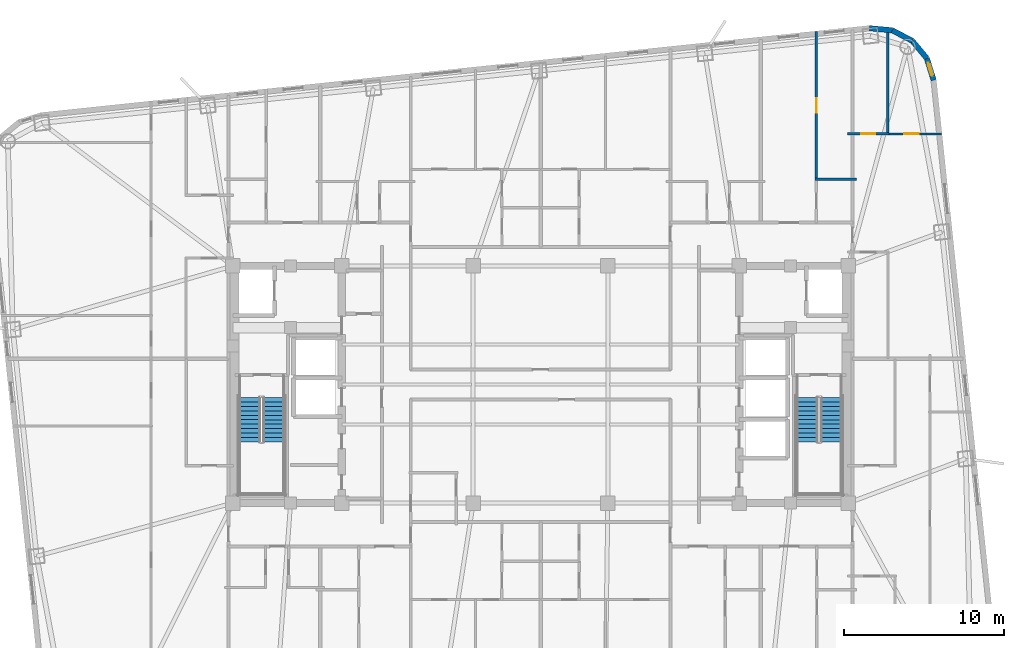
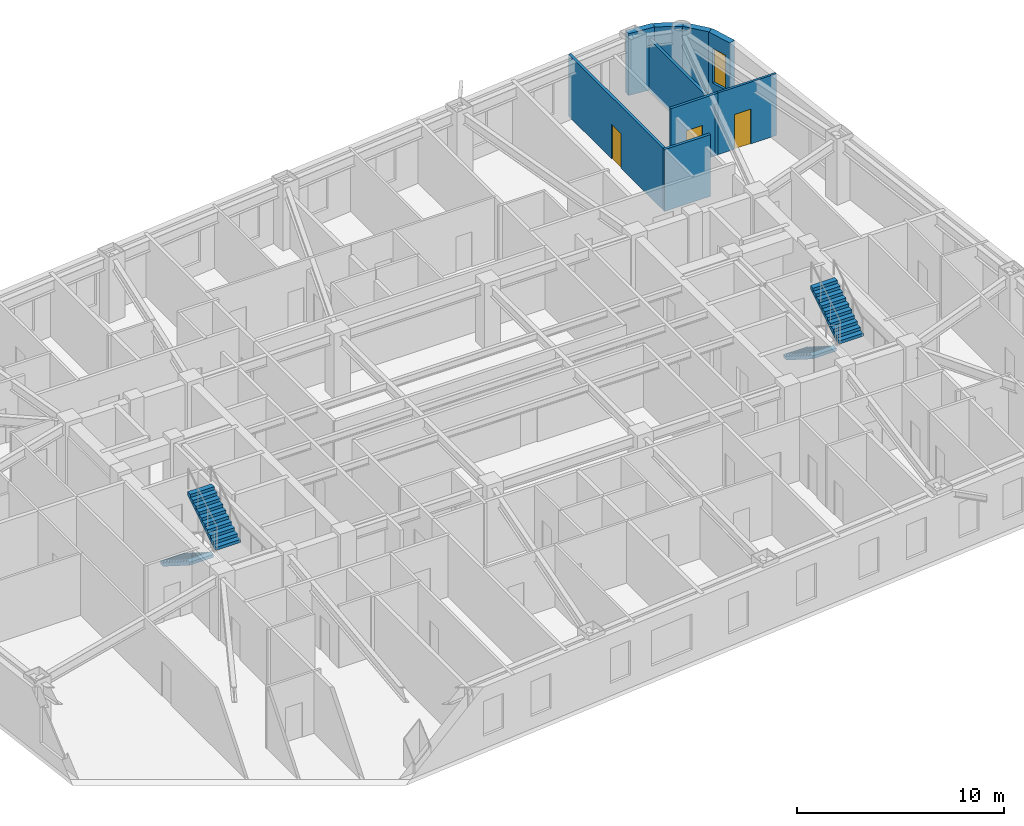
# One storey, part 10 of 12: 9 walls, 4 stair flights, 3 doors, 1 window, 4 openings, 2 elements without a shape of their own.
"""IFC4 building model written with IfcOpenShell, lengths in metres."""

from ifc_helpers import new_model, si_unit, direction, frame, frame_2d, origin, place, context, subcontext, project, spatial, polyline, rectangle, outline, extrude, material, layer, layer_set, type_object, element, fill, aggregate, save


model = new_model("IFC4")

# Units and contexts
model_context = context("Model", 3, precision=1e-05, world=origin(), true_north=direction((0.0, 1.0)))
body_context = subcontext(model_context, "Body", "Model", "MODEL_VIEW")
ifc_project = project(units=[si_unit("LENGTHUNIT", "METRE"), si_unit("AREAUNIT", "SQUARE_METRE"), si_unit("VOLUMEUNIT", "CUBIC_METRE"), si_unit("PLANEANGLEUNIT", "RADIAN"), si_unit("MASSUNIT", "GRAM", prefix="KILO")], contexts=[model_context])

# Site, building, storey
site_placement = place(None, origin())
site = spatial("IfcSite", under=ifc_project, at=site_placement, CompositionType="ELEMENT")
building_placement = place(site_placement, origin())
building = spatial("IfcBuilding", under=site, at=building_placement, Name="Voryun Gate Residences", CompositionType="ELEMENT")
storey_placement = place(building_placement, frame((0.0, 0.0, 167.699951171875)))
storey = spatial("IfcBuildingStorey", under=building, at=storey_placement, Name="L41", CompositionType="ELEMENT", Elevation=167.699951171875)

# Walls
ifc_material_1 = material(Name="Charcoal terracotta masonry", Category="masonry")
ifc_layer_1 = layer(ifc_material_1, 0.340087890625, Name="W_EXT_TERRACOTTA_340")
ifc_layer_set_1 = layer_set([ifc_layer_1], Name="Charcoal terracotta masonry")
wall_type_1 = type_object("IfcWallType", Name="W_EXT_TERRACOTTA_340", PredefinedType="ELEMENTEDWALL", material=ifc_layer_set_1)
wall_1_placement = place(storey_placement, frame((20.5263671875, 22.235107421875, 0.0), z_axis=(0.0, 0.0, 1.0), x_axis=(0.995800460351, -0.091550222087, 0.0)))
element("IfcWall", 1, at=wall_1_placement, inside=storey, type_object=wall_type_1, Name="Exterior wall WEXT-L41-12", PredefinedType="ELEMENTEDWALL", context=body_context, shape_type="SweptSolid", body=[
    extrude(rectangle(XDim=1.43212890625, YDim=0.340087890625, at=frame_2d((0.716064453125, 0.0))), origin(), (0.0, 0.0, 1.0), 3.650146484375),
])
wall_2_placement = place(storey_placement, frame((21.952392578125, 22.10400390625, 0.0), z_axis=(0.0, 0.0, 1.0), x_axis=(0.885023004245, -0.465547292933, 0.0)))
element("IfcWall", 2, at=wall_2_placement, inside=storey, type_object=wall_type_1, Name="Exterior wall WEXT-L41-13", PredefinedType="ELEMENTEDWALL", context=body_context, shape_type="SweptSolid", body=[
    extrude(rectangle(XDim=1.414794921875, YDim=0.340087890625, at=frame_2d((0.70751953125, 0.0))), origin(), (0.0, 0.0, 1.0), 3.650146484375),
])
wall_3_placement = place(storey_placement, frame((23.20458984375, 21.4453125, 0.0), z_axis=(0.0, 0.0, 1.0), x_axis=(0.639539337522, -0.768758372808, 0.0)))
element("IfcWall", 3, at=wall_3_placement, inside=storey, type_object=wall_type_1, Name="Exterior wall WEXT-L41-14", PredefinedType="ELEMENTEDWALL", context=body_context, shape_type="SweptSolid", body=[
    extrude(rectangle(XDim=1.4150390625, YDim=0.340087890625, at=frame_2d((0.70751953125, 0.0))), origin(), (0.0, 0.0, 1.0), 3.650146484375),
])

# Wall, opening, window
wall_4_placement = place(storey_placement, frame((24.109619140625, 20.357421875, 0.0), z_axis=(0.0, 0.0, 1.0), x_axis=(0.296420660287, -0.955057481074, 0.0)))
wall_4 = element("IfcWall", 4, at=wall_4_placement, inside=storey, type_object=wall_type_1, Name="Exterior wall WEXT-L41-15", PredefinedType="ELEMENTEDWALL", context=body_context, shape_type="SweptSolid", body=[
    extrude(rectangle(XDim=1.432373046875, YDim=0.340087890625, at=frame_2d((0.71630859375, 0.0))), origin(), (0.0, 0.0, 1.0), 3.650146484375),
])
opening_1_placement = place(wall_4_placement, frame((0.291015625, 0.0, 0.75)))
opening_1 = element("IfcOpeningElement", 5, at=opening_1_placement, cuts=wall_4, Name="Opening WN9", PredefinedType="OPENING", context=body_context, shape_type="SweptSolid", body=[
    extrude(rectangle(XDim=0.85009765625, YDim=2.050048828125, at=frame_2d((0.425048828125, 1.02490234375))), frame((0.0, 0.179931640625, 0.0), z_axis=(0.0, -1.0, 0.0), x_axis=(1.0, 0.0, 0.0)), (0.0, 0.0, 1.0), 0.360107421875),
])
ifc_material_2 = material(Name="Laminated low-E glass", Category="glass")
window_type = type_object("IfcWindowType", Name="WN_RES_CASEMENT_850", PartitioningType="SINGLE_PANEL", PredefinedType="WINDOW", material=ifc_material_2)
window_placement = place(opening_1_placement, origin())
window = element("IfcWindow", 6, at=window_placement, inside=storey, type_object=window_type, Name="Window WN-L41-DWFIX-29", OverallHeight=2.050048828125, OverallWidth=0.85009765625, PartitioningType="SINGLE_PANEL", PredefinedType="WINDOW", context=body_context, shape_type="SweptSolid", body=[
    extrude(rectangle(XDim=0.85009765625, YDim=2.050048828125, at=frame_2d((0.425048828125, 1.02490234375))), frame((0.0, 0.030029296875, 0.0), z_axis=(0.0, -1.0, 0.0), x_axis=(1.0, 0.0, 0.0)), (0.0, 0.0, 1.0), 0.06005859375),
])
fill(opening_1, window)

# Wall, opening, door
ifc_material_3 = material(Name="Gypsum acoustic partition")
ifc_layer_2 = layer(ifc_material_3, 0.125, Name="W_UNIT_PART_125")
ifc_layer_set_2 = layer_set([ifc_layer_2], Name="Gypsum acoustic partition")
wall_type_2 = type_object("IfcWallType", Name="W_UNIT_PART_125", PredefinedType="PARTITIONING", material=ifc_layer_set_2)
wall_5_placement = place(storey_placement, frame((21.615966796875, 15.64208984375, 0.0), z_axis=(0.0, 0.0, 1.0), x_axis=(1.0, 0.0, 0.0)))
wall_5 = element("IfcWall", 7, at=wall_5_placement, inside=storey, type_object=wall_type_2, Name="Partition wall WP-L41-E2-OHZ", PredefinedType="PARTITIONING", context=body_context, shape_type="SweptSolid", body=[
    extrude(rectangle(XDim=3.4208984375, YDim=0.125, at=frame_2d((1.71044921875, 0.0))), origin(), (0.0, 0.0, 1.0), 3.650146484375),
])
opening_2_placement = place(wall_5_placement, frame((1.08935546875, 0.0, 0.0)))
opening_2 = element("IfcOpeningElement", 8, at=opening_2_placement, cuts=wall_5, Name="Opening D-INT-2", PredefinedType="OPENING", context=body_context, shape_type="SweptSolid", body=[
    extrude(rectangle(XDim=0.89990234375, YDim=2.050048828125, at=frame_2d((0.449951171875, 1.02490234375))), frame((0.0, 0.072509765625, 0.0), z_axis=(0.0, -1.0, 0.0), x_axis=(1.0, 0.0, 0.0)), (0.0, 0.0, 1.0), 0.14501953125),
])
ifc_material_4 = material(Name="Architectural oak veneer")
door_type = type_object("IfcDoorType", Name="DR_INT_BATH_900", OperationType="NOTDEFINED", PredefinedType="DOOR", material=ifc_material_4)
door_1_placement = place(opening_2_placement, origin())
door_1 = element("IfcDoor", 9, at=door_1_placement, inside=storey, type_object=door_type, Name="Door DR-L41-E2-DMB", OperationType="SINGLE_SWING_LEFT", OverallHeight=2.050048828125, OverallWidth=0.89990234375, PredefinedType="DOOR", context=body_context, shape_type="SweptSolid", body=[
    extrude(rectangle(XDim=0.89990234375, YDim=2.050048828125, at=frame_2d((0.449951171875, 1.02490234375))), frame((0.0, 0.02490234375, 0.0), z_axis=(0.0, -1.0, 0.0), x_axis=(1.0, 0.0, 0.0)), (0.0, 0.0, 1.0), 0.050048828125),
])
fill(opening_2, door_1)

# Wall
ifc_material_5 = material(Name="Gypsum moisture-resistant partition")
ifc_layer_3 = layer(ifc_material_5, 0.14990234375, Name="W_WET_PLUMB_150")
ifc_layer_set_3 = layer_set([ifc_layer_3], Name="Gypsum moisture-resistant partition")
wall_type_3 = type_object("IfcWallType", Name="W_WET_PLUMB_150", PredefinedType="PLUMBINGWALL", material=ifc_layer_set_3)
wall_6_placement = place(storey_placement, frame((17.135986328125, 12.800048828125, 0.0), z_axis=(0.0, 0.0, 1.0), x_axis=(1.0, 0.0, 0.0)))
element("IfcWall", 10, at=wall_6_placement, inside=storey, type_object=wall_type_3, Name="Partition wall WP-L41-N5-SKB", PredefinedType="PLUMBINGWALL", context=body_context, shape_type="SweptSolid", body=[
    extrude(rectangle(XDim=2.583984375, YDim=0.14990234375, at=frame_2d((1.2919921875, 0.0))), origin(), (0.0, 0.0, 1.0), 3.650146484375),
])

# Wall, opening, door
wall_7_placement = place(storey_placement, frame((17.216064453125, 12.760009765625, 0.0), z_axis=(0.0, 0.0, 1.0), x_axis=(0.0, 1.0, 0.0)))
wall_7 = element("IfcWall", 11, at=wall_7_placement, inside=storey, type_object=wall_type_3, Name="Partition wall WP-L41-N5-SVT2", PredefinedType="PLUMBINGWALL", context=body_context, shape_type="SweptSolid", body=[
    extrude(rectangle(XDim=9.278076171875, YDim=0.14990234375, at=frame_2d((4.63916015625, 0.0))), origin(), (0.0, 0.0, 1.0), 3.650146484375),
])
opening_3_placement = place(wall_7_placement, frame((4.18896484375, 0.0, 0.0)))
opening_3 = element("IfcOpeningElement", 12, at=opening_3_placement, cuts=wall_7, Name="Opening D-INT-2", PredefinedType="OPENING", context=body_context, shape_type="SweptSolid", body=[
    extrude(rectangle(XDim=0.89990234375, YDim=2.050048828125, at=frame_2d((0.449951171875, 1.02490234375))), frame((0.0, 0.0849609375, 0.0), z_axis=(0.0, -1.0, 0.0), x_axis=(1.0, 0.0, 0.0)), (0.0, 0.0, 1.0), 0.169921875),
])
door_2_placement = place(opening_3_placement, origin())
door_2 = element("IfcDoor", 13, at=door_2_placement, inside=storey, type_object=door_type, Name="Door DR-L41-N5-DK", OperationType="SINGLE_SWING_RIGHT", OverallHeight=2.050048828125, OverallWidth=0.89990234375, PredefinedType="DOOR", context=body_context, shape_type="SweptSolid", body=[
    extrude(rectangle(XDim=0.89990234375, YDim=2.050048828125, at=frame_2d((0.449951171875, 1.02490234375))), frame((0.0, 0.02490234375, 0.0), z_axis=(0.0, -1.0, 0.0), x_axis=(1.0, 0.0, 0.0)), (0.0, 0.0, 1.0), 0.050048828125),
])
fill(opening_3, door_2)

wall_8_placement = place(storey_placement, frame((19.14990234375, 15.64208984375, 0.0), z_axis=(0.0, 0.0, 1.0), x_axis=(1.0, 0.0, 0.0)))
wall_8 = element("IfcWall", 14, at=wall_8_placement, inside=storey, type_object=wall_type_3, Name="Partition wall WP-L41-E2-IBB", PredefinedType="PLUMBINGWALL", context=body_context, shape_type="SweptSolid", body=[
    extrude(rectangle(XDim=2.606201171875, YDim=0.14990234375, at=frame_2d((1.30322265625, 0.0))), origin(), (0.0, 0.0, 1.0), 3.650146484375),
])
opening_4_placement = place(wall_8_placement, frame((0.85302734375, 0.0, 0.0)))
opening_4 = element("IfcOpeningElement", 15, at=opening_4_placement, cuts=wall_8, Name="Opening D-INT-2", PredefinedType="OPENING", context=body_context, shape_type="SweptSolid", body=[
    extrude(rectangle(XDim=0.89990234375, YDim=2.050048828125, at=frame_2d((0.449951171875, 1.02490234375))), frame((0.0, 0.0849609375, 0.0), z_axis=(0.0, -1.0, 0.0), x_axis=(1.0, 0.0, 0.0)), (0.0, 0.0, 1.0), 0.169921875),
])
door_3_placement = place(opening_4_placement, origin())
door_3 = element("IfcDoor", 16, at=door_3_placement, inside=storey, type_object=door_type, Name="Door DR-L41-E2-DB", OperationType="SINGLE_SWING_RIGHT", OverallHeight=2.050048828125, OverallWidth=0.89990234375, PredefinedType="DOOR", context=body_context, shape_type="SweptSolid", body=[
    extrude(rectangle(XDim=0.89990234375, YDim=2.050048828125, at=frame_2d((0.449951171875, 1.02490234375))), frame((0.0, 0.02490234375, 0.0), z_axis=(0.0, -1.0, 0.0), x_axis=(1.0, 0.0, 0.0)), (0.0, 0.0, 1.0), 0.050048828125),
])
fill(opening_4, door_3)

# Wall
wall_9_placement = place(storey_placement, frame((21.676025390625, 15.56201171875, 0.0), z_axis=(0.0, 0.0, 1.0), x_axis=(0.0, 1.0, 0.0)))
element("IfcWall", 17, at=wall_9_placement, inside=storey, type_object=wall_type_3, Name="Partition wall WP-L41-E2-VTB", PredefinedType="PLUMBINGWALL", context=body_context, shape_type="SweptSolid", body=[
    extrude(rectangle(XDim=6.71826171875, YDim=0.14990234375, at=frame_2d((3.359130859375, 0.0))), origin(), (0.0, 0.0, 1.0), 3.0400390625),
])

# Stair, stair flights
ifc_material_6 = material(Name="Concrete C40/50", Category="concrete")
stair_type = type_object("IfcStairType", Name="STR_CORE_DOGLEG_1350", PredefinedType="HALF_TURN_STAIR", material=ifc_material_6)
stair_1_placement = place(storey_placement, origin())
stair_1 = element("IfcStair", 18, at=stair_1_placement, inside=storey, type_object=stair_type, Name="L41 Special Escape Stair ST-W1", PredefinedType="HALF_TURN_STAIR")
ifc_material_7 = material(Name="Concrete C40/50", Category="concrete")
stair_flight_type = type_object("IfcStairFlightType", Name="FLT_CORE_1350", PredefinedType="STRAIGHT", material=ifc_material_7)
stair_flight_1_placement = place(storey_placement, frame((-18.14990234375, -0.800048828125, 0.0), z_axis=(0.0, 0.0, 1.0), x_axis=(0.0, -1.0, 0.0)))
stair_flight_1 = element("IfcStairFlight", 19, at=stair_flight_1_placement, type_object=stair_flight_type, Name="ST-W1 flight 1", NumberOfRisers=11, NumberOfTreads=10, PredefinedType="STRAIGHT", RiserHeight=0.177272727, TreadLength=0.28, context=body_context, shape_type="SweptSolid", body=[
    extrude(outline(polyline([(0.0, 0.0), (0.0, 0.17724609375), (0.280029296875, 0.17724609375), (0.280029296875, 0.3544921875), (0.56005859375, 0.3544921875), (0.56005859375, 0.53173828125), (0.840087890625, 0.53173828125), (0.840087890625, 0.708984375), (1.1201171875, 0.708984375), (1.1201171875, 0.886474609375), (1.39990234375, 0.886474609375), (1.39990234375, 1.063720703125), (1.679931640625, 1.063720703125), (1.679931640625, 1.240966796875), (1.9599609375, 1.240966796875), (1.9599609375, 1.418212890625), (2.239990234375, 1.418212890625), (2.239990234375, 1.595458984375), (2.52001953125, 1.595458984375), (2.52001953125, 1.772705078125), (2.800048828125, 1.772705078125), (2.800048828125, 1.949951171875), (2.800048828125, 1.59521484375), (0.2802734375, 0.0), (0.0, 0.0)])), frame((0.0, 0.675048828125, 0.0), z_axis=(0.0, -1.0, 0.0), x_axis=(1.0, 0.0, 0.0)), (0.0, 0.0, 1.0), 1.35009765625),
])
stair_flight_2_placement = place(storey_placement, frame((-16.64990234375, -3.60009765625, 1.949951171875), z_axis=(0.0, 0.0, 1.0), x_axis=(0.0, 1.0, 0.0)))
stair_flight_2 = element("IfcStairFlight", 20, at=stair_flight_2_placement, type_object=stair_flight_type, Name="ST-W1 flight 2", NumberOfRisers=11, NumberOfTreads=10, PredefinedType="STRAIGHT", RiserHeight=0.177272727, TreadLength=0.28, context=body_context, shape_type="SweptSolid", body=[
    extrude(outline(polyline([(0.0, 0.0), (0.0, 0.17724609375), (0.280029296875, 0.17724609375), (0.280029296875, 0.3544921875), (0.56005859375, 0.3544921875), (0.56005859375, 0.53173828125), (0.840087890625, 0.53173828125), (0.840087890625, 0.708984375), (1.1201171875, 0.708984375), (1.1201171875, 0.886474609375), (1.39990234375, 0.886474609375), (1.39990234375, 1.063720703125), (1.679931640625, 1.063720703125), (1.679931640625, 1.240966796875), (1.9599609375, 1.240966796875), (1.9599609375, 1.418212890625), (2.239990234375, 1.418212890625), (2.239990234375, 1.595458984375), (2.52001953125, 1.595458984375), (2.52001953125, 1.772705078125), (2.800048828125, 1.772705078125), (2.800048828125, 1.949951171875), (2.800048828125, 1.59521484375), (0.2802734375, 0.0), (0.0, 0.0)])), frame((0.0, 0.675048828125, 0.0), z_axis=(0.0, -1.0, 0.0), x_axis=(1.0, 0.0, 0.0)), (0.0, 0.0, 1.0), 1.35009765625),
])
aggregate(stair_1, [stair_flight_1, stair_flight_2])

stair_2_placement = place(storey_placement, origin())
stair_2 = element("IfcStair", 21, at=stair_2_placement, inside=storey, type_object=stair_type, Name="L41 Special Escape Stair ST-E1", PredefinedType="HALF_TURN_STAIR")
stair_flight_3_placement = place(storey_placement, frame((16.64990234375, -0.800048828125, 0.0), z_axis=(0.0, 0.0, 1.0), x_axis=(0.0, -1.0, 0.0)))
stair_flight_3 = element("IfcStairFlight", 22, at=stair_flight_3_placement, type_object=stair_flight_type, Name="ST-E1 flight 1", NumberOfRisers=11, NumberOfTreads=10, PredefinedType="STRAIGHT", RiserHeight=0.177272727, TreadLength=0.28, context=body_context, shape_type="SweptSolid", body=[
    extrude(outline(polyline([(0.0, 0.0), (0.0, 0.17724609375), (0.280029296875, 0.17724609375), (0.280029296875, 0.3544921875), (0.56005859375, 0.3544921875), (0.56005859375, 0.53173828125), (0.840087890625, 0.53173828125), (0.840087890625, 0.708984375), (1.1201171875, 0.708984375), (1.1201171875, 0.886474609375), (1.39990234375, 0.886474609375), (1.39990234375, 1.063720703125), (1.679931640625, 1.063720703125), (1.679931640625, 1.240966796875), (1.9599609375, 1.240966796875), (1.9599609375, 1.418212890625), (2.239990234375, 1.418212890625), (2.239990234375, 1.595458984375), (2.52001953125, 1.595458984375), (2.52001953125, 1.772705078125), (2.800048828125, 1.772705078125), (2.800048828125, 1.949951171875), (2.800048828125, 1.59521484375), (0.2802734375, 0.0), (0.0, 0.0)])), frame((0.0, 0.675048828125, 0.0), z_axis=(0.0, -1.0, 0.0), x_axis=(1.0, 0.0, 0.0)), (0.0, 0.0, 1.0), 1.35009765625),
])
stair_flight_4_placement = place(storey_placement, frame((18.14990234375, -3.60009765625, 1.949951171875), z_axis=(0.0, 0.0, 1.0), x_axis=(0.0, 1.0, 0.0)))
stair_flight_4 = element("IfcStairFlight", 23, at=stair_flight_4_placement, type_object=stair_flight_type, Name="ST-E1 flight 2", NumberOfRisers=11, NumberOfTreads=10, PredefinedType="STRAIGHT", RiserHeight=0.177272727, TreadLength=0.28, context=body_context, shape_type="SweptSolid", body=[
    extrude(outline(polyline([(0.0, 0.0), (0.0, 0.17724609375), (0.280029296875, 0.17724609375), (0.280029296875, 0.3544921875), (0.56005859375, 0.3544921875), (0.56005859375, 0.53173828125), (0.840087890625, 0.53173828125), (0.840087890625, 0.708984375), (1.1201171875, 0.708984375), (1.1201171875, 0.886474609375), (1.39990234375, 0.886474609375), (1.39990234375, 1.063720703125), (1.679931640625, 1.063720703125), (1.679931640625, 1.240966796875), (1.9599609375, 1.240966796875), (1.9599609375, 1.418212890625), (2.239990234375, 1.418212890625), (2.239990234375, 1.595458984375), (2.52001953125, 1.595458984375), (2.52001953125, 1.772705078125), (2.800048828125, 1.772705078125), (2.800048828125, 1.949951171875), (2.800048828125, 1.59521484375), (0.2802734375, 0.0), (0.0, 0.0)])), frame((0.0, 0.675048828125, 0.0), z_axis=(0.0, -1.0, 0.0), x_axis=(1.0, 0.0, 0.0)), (0.0, 0.0, 1.0), 1.35009765625),
])
aggregate(stair_2, [stair_flight_3, stair_flight_4])

save(model, "model.ifc")
